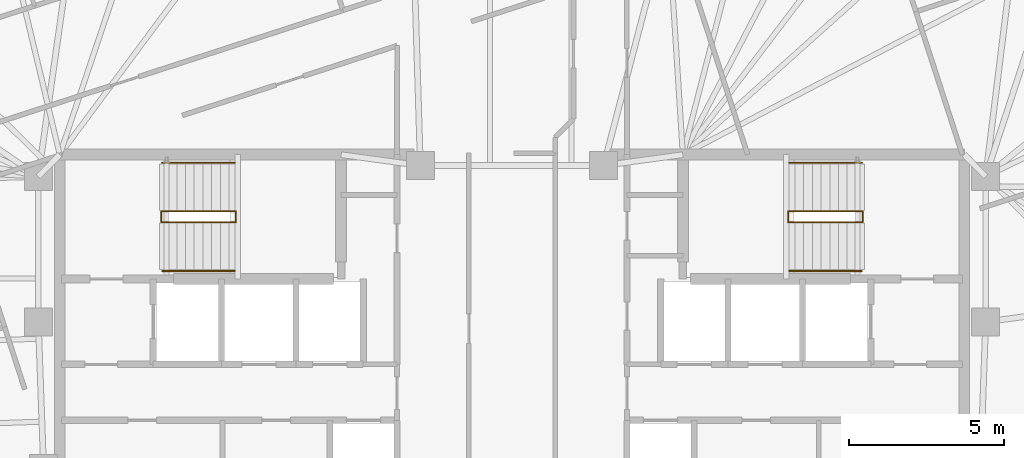
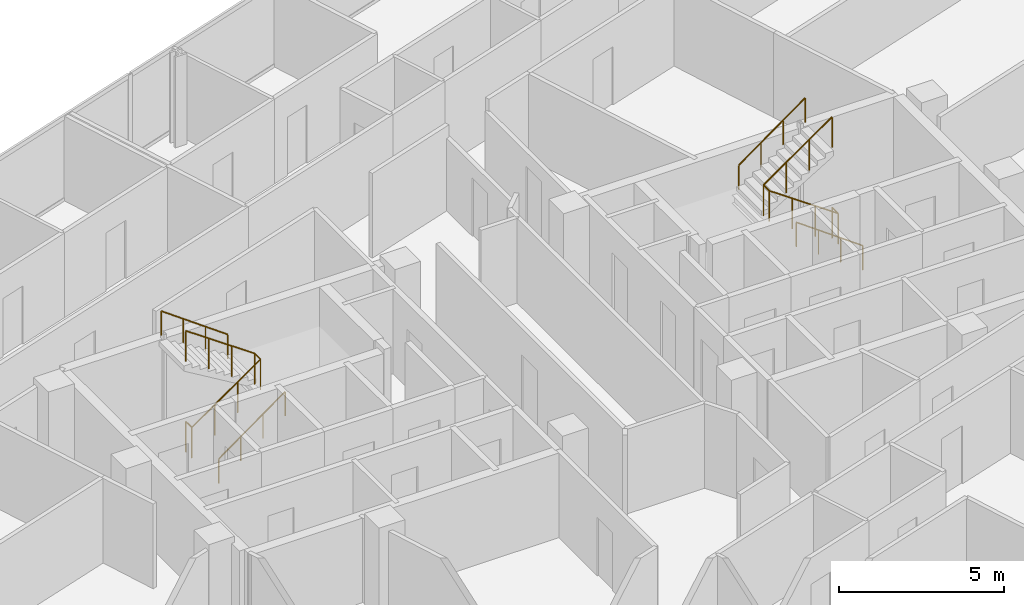
# One storey, part 20 of 20: 6 railings.
"""IFC4 building model written with IfcOpenShell, lengths in metres."""

from ifc_helpers import new_model, si_unit, direction, frame, origin, origin_2d, place, context, subcontext, project, spatial, circle, extrude, material, type_object, element, save


model = new_model("IFC4")

# Units and contexts
model_context = context("Model", 3, precision=1e-05, world=origin(), true_north=direction((0.0, 1.0)))
body_context = subcontext(model_context, "Body", "Model", "MODEL_VIEW")
ifc_project = project(units=[si_unit("LENGTHUNIT", "METRE"), si_unit("AREAUNIT", "SQUARE_METRE"), si_unit("VOLUMEUNIT", "CUBIC_METRE"), si_unit("PLANEANGLEUNIT", "RADIAN"), si_unit("MASSUNIT", "GRAM", prefix="KILO")], contexts=[model_context])

# Site, building, storey
site_placement = place(None, origin())
site = spatial("IfcSite", under=ifc_project, at=site_placement, CompositionType="ELEMENT")
building_placement = place(site_placement, origin())
building = spatial("IfcBuilding", under=site, at=building_placement, Name="Menara Jurai Vektor", CompositionType="ELEMENT")
storey_placement = place(building_placement, frame((0.0, 0.0, 227.64990234375)))
storey = spatial("IfcBuildingStorey", under=building, at=storey_placement, Name="L60", CompositionType="ELEMENT", Elevation=227.64990234375)

# Railings
ifc_material_1 = material(Name="Painted Galvanised Steel Balustrade", Category="steel")
railing_type_1 = type_object("IfcRailingType", Name="RAIL-STAIR-GUARD", PredefinedType="GUARDRAIL", material=ifc_material_1)
railing_1_placement = place(storey_placement, frame((-11.2900390625, 3.780029296875, 0.0)))
element("IfcRailing", 1, at=railing_1_placement, inside=storey, type_object=railing_type_1, Name="ST1 Stair Guardrail 1 L60", PredefinedType="GUARDRAIL", context=body_context, shape_type="SweptSolid", body=[
    extrude(circle(Radius=0.02392578125, at=origin_2d()), frame((0.0, 0.0, 1.1259765625), z_axis=(0.0, -1.0, 0.0), x_axis=(1.0, 0.0, 0.0)), (0.0, 0.0, 1.0), 0.360107421875),
    extrude(circle(Radius=0.02392578125, at=origin_2d()), frame((0.0, -0.360107421875, 1.1259765625), z_axis=(0.820042287322, 0.0, 0.572302932898), x_axis=(0.0, 1.0, 0.0)), (0.0, 0.0, 1.0), 2.9267578125),
    extrude(circle(Radius=0.02392578125, at=origin_2d()), frame((2.400146484375, -0.360107421875, 2.80078125), z_axis=(0.0, 1.0, 0.0), x_axis=(-1.0, 0.0, 0.0)), (0.0, 0.0, 1.0), 0.360107421875),
    extrude(circle(Radius=0.02392578125, at=origin_2d()), frame((2.400146484375, 0.0, 2.80078125), z_axis=(-0.820042287322, 0.0, 0.572302932898), x_axis=(0.0, -1.0, 0.0)), (0.0, 0.0, 1.0), 2.9267578125),
    extrude(circle(Radius=0.02099609375, at=origin_2d()), origin(), (0.0, 0.0, 1.0), 1.101806640625),
    extrude(circle(Radius=0.02099609375, at=origin_2d()), frame((0.0, -0.360107421875, 0.0)), (0.0, 0.0, 1.0), 1.101806640625),
    extrude(circle(Radius=0.02099609375, at=origin_2d()), frame((0.800048828125, -0.360107421875, 0.558349609375)), (0.0, 0.0, 1.0), 1.101806640625),
    extrude(circle(Radius=0.02099609375, at=origin_2d()), frame((1.60009765625, -0.360107421875, 1.11669921875)), (0.0, 0.0, 1.0), 1.101806640625),
    extrude(circle(Radius=0.02099609375, at=origin_2d()), frame((2.400146484375, -0.360107421875, 1.675048828125)), (0.0, 0.0, 1.0), 1.101806640625),
    extrude(circle(Radius=0.02099609375, at=origin_2d()), frame((2.400146484375, 0.0, 1.675048828125)), (0.0, 0.0, 1.0), 1.101806640625),
    extrude(circle(Radius=0.02099609375, at=origin_2d()), frame((1.60009765625, 0.0, 2.2333984375)), (0.0, 0.0, 1.0), 1.101806640625),
    extrude(circle(Radius=0.02099609375, at=origin_2d()), frame((0.800048828125, 0.0, 2.791748046875)), (0.0, 0.0, 1.0), 1.101806640625),
    extrude(circle(Radius=0.02099609375, at=origin_2d()), frame((0.0, 0.0, 3.35009765625)), (0.0, 0.0, 1.0), 1.101806640625),
])
railing_2_placement = place(storey_placement, frame((11.2900390625, 3.780029296875, 0.0)))
element("IfcRailing", 2, at=railing_2_placement, inside=storey, type_object=railing_type_1, Name="ST2 Stair Guardrail 1 L60", PredefinedType="GUARDRAIL", context=body_context, shape_type="SweptSolid", body=[
    extrude(circle(Radius=0.02392578125, at=origin_2d()), frame((0.0, 0.0, 1.1259765625), z_axis=(0.0, -1.0, 0.0), x_axis=(1.0, 0.0, 0.0)), (0.0, 0.0, 1.0), 0.360107421875),
    extrude(circle(Radius=0.02392578125, at=origin_2d()), frame((0.0, -0.360107421875, 1.1259765625), z_axis=(-0.820042287322, 0.0, 0.572302932898), x_axis=(0.0, -1.0, 0.0)), (0.0, 0.0, 1.0), 2.9267578125),
    extrude(circle(Radius=0.02392578125, at=origin_2d()), frame((-2.400146484375, -0.360107421875, 2.80078125), z_axis=(0.0, 1.0, 0.0), x_axis=(-1.0, 0.0, 0.0)), (0.0, 0.0, 1.0), 0.360107421875),
    extrude(circle(Radius=0.02392578125, at=origin_2d()), frame((-2.400146484375, 0.0, 2.80078125), z_axis=(0.820042287322, 0.0, 0.572302932898), x_axis=(0.0, 1.0, 0.0)), (0.0, 0.0, 1.0), 2.9267578125),
    extrude(circle(Radius=0.02099609375, at=origin_2d()), origin(), (0.0, 0.0, 1.0), 1.101806640625),
    extrude(circle(Radius=0.02099609375, at=origin_2d()), frame((0.0, -0.360107421875, 0.0)), (0.0, 0.0, 1.0), 1.101806640625),
    extrude(circle(Radius=0.02099609375, at=origin_2d()), frame((-0.800048828125, -0.360107421875, 0.558349609375)), (0.0, 0.0, 1.0), 1.101806640625),
    extrude(circle(Radius=0.02099609375, at=origin_2d()), frame((-1.60009765625, -0.360107421875, 1.11669921875)), (0.0, 0.0, 1.0), 1.101806640625),
    extrude(circle(Radius=0.02099609375, at=origin_2d()), frame((-2.400146484375, -0.360107421875, 1.675048828125)), (0.0, 0.0, 1.0), 1.101806640625),
    extrude(circle(Radius=0.02099609375, at=origin_2d()), frame((-2.400146484375, 0.0, 1.675048828125)), (0.0, 0.0, 1.0), 1.101806640625),
    extrude(circle(Radius=0.02099609375, at=origin_2d()), frame((-1.60009765625, 0.0, 2.2333984375)), (0.0, 0.0, 1.0), 1.101806640625),
    extrude(circle(Radius=0.02099609375, at=origin_2d()), frame((-0.800048828125, 0.0, 2.791748046875)), (0.0, 0.0, 1.0), 1.101806640625),
    extrude(circle(Radius=0.02099609375, at=origin_2d()), frame((0.0, 0.0, 3.35009765625)), (0.0, 0.0, 1.0), 1.101806640625),
])
ifc_material_2 = material(Name="Brushed Stainless Steel Handrail", Category="steel")
railing_type_2 = type_object("IfcRailingType", Name="RAIL-STAIR-HAND", PredefinedType="HANDRAIL", material=ifc_material_2)
railing_3_placement = place(storey_placement, frame((-11.25, 1.860107421875, 0.0)))
element("IfcRailing", 3, at=railing_3_placement, inside=storey, type_object=railing_type_2, Name="ST1 Stair Handrail 1 L60", PredefinedType="HANDRAIL", context=body_context, shape_type="SweptSolid", body=[
    extrude(circle(Radius=0.02392578125, at=origin_2d()), frame((0.0, 0.0, 0.89599609375), z_axis=(0.810771458067, 0.0, 0.585362830032), x_axis=(0.0, 1.0, 0.0)), (0.0, 0.0, 1.0), 2.861572265625),
    extrude(circle(Radius=0.02099609375, at=origin_2d()), origin(), (0.0, 0.0, 1.0), 0.871826171875),
    extrude(circle(Radius=0.02099609375, at=origin_2d()), frame((0.7734375, 0.0, 0.558349609375)), (0.0, 0.0, 1.0), 0.871826171875),
    extrude(circle(Radius=0.02099609375, at=origin_2d()), frame((1.546630859375, 0.0, 1.11669921875)), (0.0, 0.0, 1.0), 0.871826171875),
    extrude(circle(Radius=0.02099609375, at=origin_2d()), frame((2.320068359375, 0.0, 1.675048828125)), (0.0, 0.0, 1.0), 0.871826171875),
])
for number, where, name in (
    (4, (-8.929931640625, 5.340087890625, 1.675048828125), "ST1 Stair Handrail 2 L60"),
    (5, (11.25, 1.860107421875, 0.0), "ST2 Stair Handrail 1 L60"),
):
    element("IfcRailing", number, at=place(storey_placement, frame(where)), inside=storey, type_object=railing_type_2, Name=name, PredefinedType="HANDRAIL", context=body_context, shape_type="SweptSolid", body=[
        extrude(circle(Radius=0.02392578125, at=origin_2d()), frame((0.0, 0.0, 0.89599609375), z_axis=(-0.810771458067, 0.0, 0.585362830032), x_axis=(0.0, -1.0, 0.0)), (0.0, 0.0, 1.0), 2.861572265625),
        extrude(circle(Radius=0.02099609375, at=origin_2d()), origin(), (0.0, 0.0, 1.0), 0.871826171875),
        extrude(circle(Radius=0.02099609375, at=origin_2d()), frame((-0.7734375, 0.0, 0.558349609375)), (0.0, 0.0, 1.0), 0.871826171875),
        extrude(circle(Radius=0.02099609375, at=origin_2d()), frame((-1.546630859375, 0.0, 1.11669921875)), (0.0, 0.0, 1.0), 0.871826171875),
        extrude(circle(Radius=0.02099609375, at=origin_2d()), frame((-2.320068359375, 0.0, 1.675048828125)), (0.0, 0.0, 1.0), 0.871826171875),
    ])
railing_4_placement = place(storey_placement, frame((8.929931640625, 5.340087890625, 1.675048828125)))
element("IfcRailing", 6, at=railing_4_placement, inside=storey, type_object=railing_type_2, Name="ST2 Stair Handrail 2 L60", PredefinedType="HANDRAIL", context=body_context, shape_type="SweptSolid", body=[
    extrude(circle(Radius=0.02392578125, at=origin_2d()), frame((0.0, 0.0, 0.89599609375), z_axis=(0.810771458067, 0.0, 0.585362830032), x_axis=(0.0, 1.0, 0.0)), (0.0, 0.0, 1.0), 2.861572265625),
    extrude(circle(Radius=0.02099609375, at=origin_2d()), origin(), (0.0, 0.0, 1.0), 0.871826171875),
    extrude(circle(Radius=0.02099609375, at=origin_2d()), frame((0.7734375, 0.0, 0.558349609375)), (0.0, 0.0, 1.0), 0.871826171875),
    extrude(circle(Radius=0.02099609375, at=origin_2d()), frame((1.546630859375, 0.0, 1.11669921875)), (0.0, 0.0, 1.0), 0.871826171875),
    extrude(circle(Radius=0.02099609375, at=origin_2d()), frame((2.320068359375, 0.0, 1.675048828125)), (0.0, 0.0, 1.0), 0.871826171875),
])

save(model, "model.ifc")
